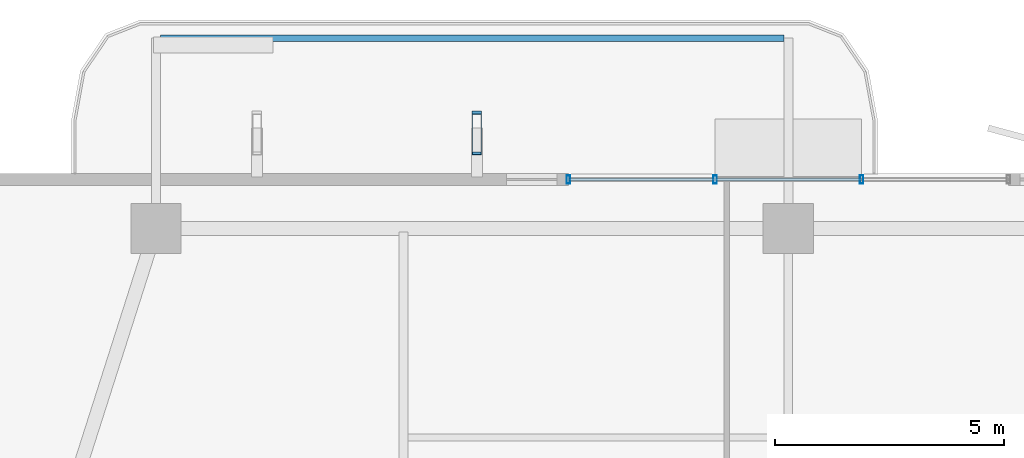
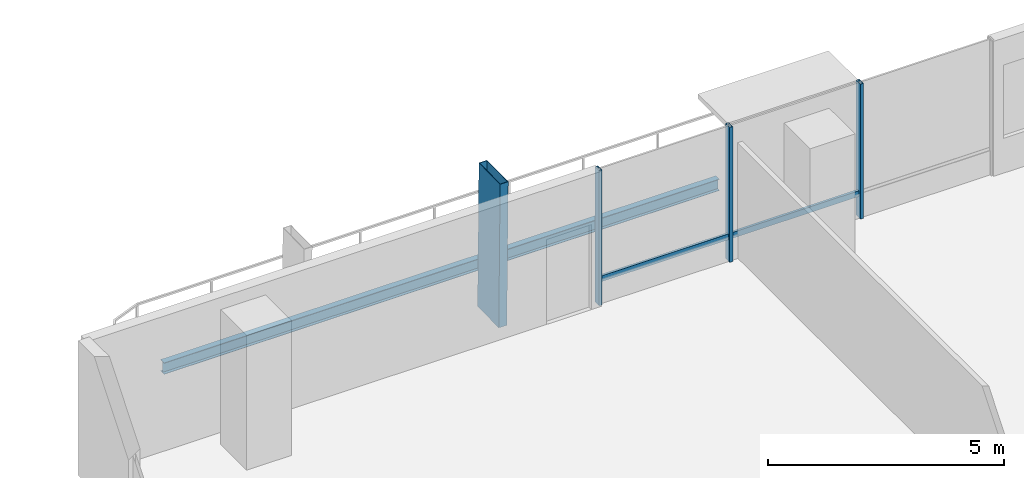
# One storey, part 13 of 25: 6 members, 1 beam, 1 element without a shape of its own.
"""IFC4 building model written with IfcOpenShell, lengths in metres."""

from ifc_helpers import new_model, si_unit, direction, frame, origin, origin_2d, place, context, subcontext, project, spatial, hollow_rectangle, i_section, extrude, material, layer, layer_set, material_profile, profile_set, type_object, element, aggregate, save


model = new_model("IFC4")

# Units and contexts
model_context = context("Model", 3, precision=1e-05, world=origin(), true_north=direction((0.0, 1.0)))
body_context = subcontext(model_context, "Body", "Model", "MODEL_VIEW")
ifc_project = project(units=[si_unit("LENGTHUNIT", "METRE"), si_unit("AREAUNIT", "SQUARE_METRE"), si_unit("VOLUMEUNIT", "CUBIC_METRE"), si_unit("PLANEANGLEUNIT", "RADIAN"), si_unit("MASSUNIT", "GRAM", prefix="KILO")], contexts=[model_context])

# Site, building, storey
site_placement = place(None, origin())
site = spatial("IfcSite", under=ifc_project, at=site_placement, CompositionType="ELEMENT")
building_placement = place(site_placement, origin())
building = spatial("IfcBuilding", under=site, at=building_placement, Name="Belovzor Exchange Tower", CompositionType="ELEMENT")
storey_placement = place(building_placement, frame((0.0, 0.0, 175.800048828125)))
storey = spatial("IfcBuildingStorey", under=building, at=storey_placement, Name="L43", CompositionType="ELEMENT", Elevation=175.800048828125)

# Beam
ifc_material_1 = material(Name="Steel S355", Category="steel")
ifc_material_profile_1 = material_profile(ifc_material_1, i_section(OverallWidth=0.14990234375, OverallDepth=0.300048828125, WebThickness=0.007080078125, FlangeThickness=0.0107421875, at=origin_2d()))
ifc_profile_set_1 = profile_set([ifc_material_profile_1], Name="Steel S355")
beam_type = type_object("IfcBeamType", Name="Planted Balcony Fascia Edge Beam IPE 300", PredefinedType="BEAM", material=ifc_profile_set_1)
beam_placement = place(storey_placement, frame((28.699951171875, 56.052978515625, -0.405029296875), z_axis=(-1.0, 0.0, 0.0), x_axis=(0.0, -1.0, 0.0)))
element("IfcBeam", 1, at=beam_placement, inside=storey, type_object=beam_type, Name="BC-300 Planted Balcony Fascia Edge Beam IPE 300", PredefinedType="BEAM", context=body_context, shape_type="SweptSolid", body=[
    extrude(i_section(OverallWidth=0.14990234375, OverallDepth=0.300048828125, WebThickness=0.007080078125, FlangeThickness=0.0107421875, at=origin_2d()), origin(), (0.0, 0.0, 1.0), 13.599853515625),
])

# Member
ifc_material_2 = material(Name="Extruded Architectural Terracotta on Steel S355 Carrier", Category="masonry")
ifc_material_profile_2 = material_profile(ifc_material_2, hollow_rectangle(XDim=0.199951171875, YDim=0.89990234375, WallThickness=0.011962890625, at=origin_2d()))
ifc_profile_set_2 = profile_set([ifc_material_profile_2], Name="Extruded Architectural Terracotta on Steel S355 Carrier")
member_type_1 = type_object("IfcMemberType", Name="Sweeping Terracotta Baguette Fin Assembly 1250", PredefinedType="USERDEFINED", material=ifc_profile_set_2)
member_1_placement = place(storey_placement, frame((22.0, 54.010986328125, -0.255126953125), z_axis=(0.0, -0.01549293194, 0.999879977327), x_axis=(1.0, 0.0, 0.0)))
element("IfcMember", 2, at=member_1_placement, inside=storey, type_object=member_type_1, Name="FIN-TC125 Terracotta Facade Fin L43 N2", ObjectType="FIN", PredefinedType="USERDEFINED", context=body_context, shape_type="SweptSolid", body=[
    extrude(hollow_rectangle(XDim=0.199951171875, YDim=0.89990234375, WallThickness=0.011962890625, at=origin_2d()), origin(), (0.0, 0.0, 1.0), 3.75048828125),
])

# Curtain wall, members
ifc_material_3 = material(Name="Anodised Aluminium Framing", Category="aluminium")
ifc_layer = layer(ifc_material_3, 0.179931640625)
ifc_layer_set = layer_set([ifc_layer], Name="Anodised Aluminium Framing")
curtain_wall_type = type_object("IfcCurtainWallType", Name="Recessed Loggia Low-Iron Triple-Glazed Curtain Wall", PredefinedType="NOTDEFINED", material=ifc_layer_set)
curtain_wall_placement = place(storey_placement, origin())
curtain_wall = element("IfcCurtainWall", 3, at=curtain_wall_placement, inside=storey, type_object=curtain_wall_type, Name="CW3 Recessed Loggia Low-Iron Triple-Glazed Curtain Wall L43", PredefinedType="NOTDEFINED")
ifc_material_4 = material(Name="Steel S355", Category="steel")
ifc_material_profile_3 = material_profile(ifc_material_4, hollow_rectangle(XDim=0.074951171875, YDim=0.179931640625, WallThickness=0.0048828125, at=origin_2d()))
ifc_profile_set_3 = profile_set([ifc_material_profile_3], Name="Steel S355")
member_type_2 = type_object("IfcMemberType", Name="Thermally Broken Curtain Wall Mullion 180x75", PredefinedType="MULLION", material=ifc_profile_set_3)
member_2_placement = place(storey_placement, frame((24.0, 52.969970703125, 0.0), z_axis=(0.0, 0.0, 1.0), x_axis=(1.0, 0.0, 0.0)))
member_2 = element("IfcMember", 4, at=member_2_placement, type_object=member_type_2, Name="CW-M180 Curtain Wall Mullion 1", PredefinedType="MULLION", context=body_context, shape_type="SweptSolid", body=[
    extrude(hollow_rectangle(XDim=0.074951171875, YDim=0.179931640625, WallThickness=0.0048828125, at=origin_2d()), origin(), (0.0, 0.0, 1.0), 3.494873046875),
])
member_3_placement = place(storey_placement, frame((27.199951171875, 52.969970703125, 0.0), z_axis=(0.0, 0.0, 1.0), x_axis=(1.0, 0.0, 0.0)))
member_3 = element("IfcMember", 5, at=member_3_placement, type_object=member_type_2, Name="CW-M180 Curtain Wall Mullion 2", PredefinedType="MULLION", context=body_context, shape_type="SweptSolid", body=[
    extrude(hollow_rectangle(XDim=0.074951171875, YDim=0.179931640625, WallThickness=0.0048828125, at=origin_2d()), origin(), (0.0, 0.0, 1.0), 3.494873046875),
])
member_4_placement = place(storey_placement, frame((30.39990234375, 52.969970703125, 0.0), z_axis=(0.0, 0.0, 1.0), x_axis=(1.0, 0.0, 0.0)))
member_4 = element("IfcMember", 6, at=member_4_placement, type_object=member_type_2, Name="CW-M180 Curtain Wall Mullion 3", PredefinedType="MULLION", context=body_context, shape_type="SweptSolid", body=[
    extrude(hollow_rectangle(XDim=0.074951171875, YDim=0.179931640625, WallThickness=0.0048828125, at=origin_2d()), origin(), (0.0, 0.0, 1.0), 3.494873046875),
])
ifc_material_5 = material(Name="Steel S355", Category="steel")
ifc_material_profile_4 = material_profile(ifc_material_5, hollow_rectangle(XDim=0.06005859375, YDim=0.14990234375, WallThickness=0.00390625, at=origin_2d()))
ifc_profile_set_4 = profile_set([ifc_material_profile_4], Name="Steel S355")
member_type_3 = type_object("IfcMemberType", Name="Thermally Broken Curtain Wall Transom 150x60", PredefinedType="USERDEFINED", material=ifc_profile_set_4)
member_5_placement = place(storey_placement, frame((24.008056640625, 52.969970703125, 0.62890625), z_axis=(1.0, 0.0, 0.0), x_axis=(0.0, 1.0, 0.0)))
member_5 = element("IfcMember", 7, at=member_5_placement, type_object=member_type_3, Name="CW-T150 Curtain Wall Transom 1", ObjectType="TRANSOM", PredefinedType="USERDEFINED", context=body_context, shape_type="SweptSolid", body=[
    extrude(hollow_rectangle(XDim=0.06005859375, YDim=0.14990234375, WallThickness=0.00390625, at=origin_2d()), origin(), (0.0, 0.0, 1.0), 3.183837890625),
])
member_6_placement = place(storey_placement, frame((27.2080078125, 52.969970703125, 0.62890625), z_axis=(1.0, 0.0, 0.0), x_axis=(0.0, 1.0, 0.0)))
member_6 = element("IfcMember", 8, at=member_6_placement, type_object=member_type_3, Name="CW-T150 Curtain Wall Transom 2", ObjectType="TRANSOM", PredefinedType="USERDEFINED", context=body_context, shape_type="SweptSolid", body=[
    extrude(hollow_rectangle(XDim=0.06005859375, YDim=0.14990234375, WallThickness=0.00390625, at=origin_2d()), origin(), (0.0, 0.0, 1.0), 3.18408203125),
])
aggregate(curtain_wall, [member_2, member_3, member_4, member_5, member_6])

save(model, "model.ifc")
